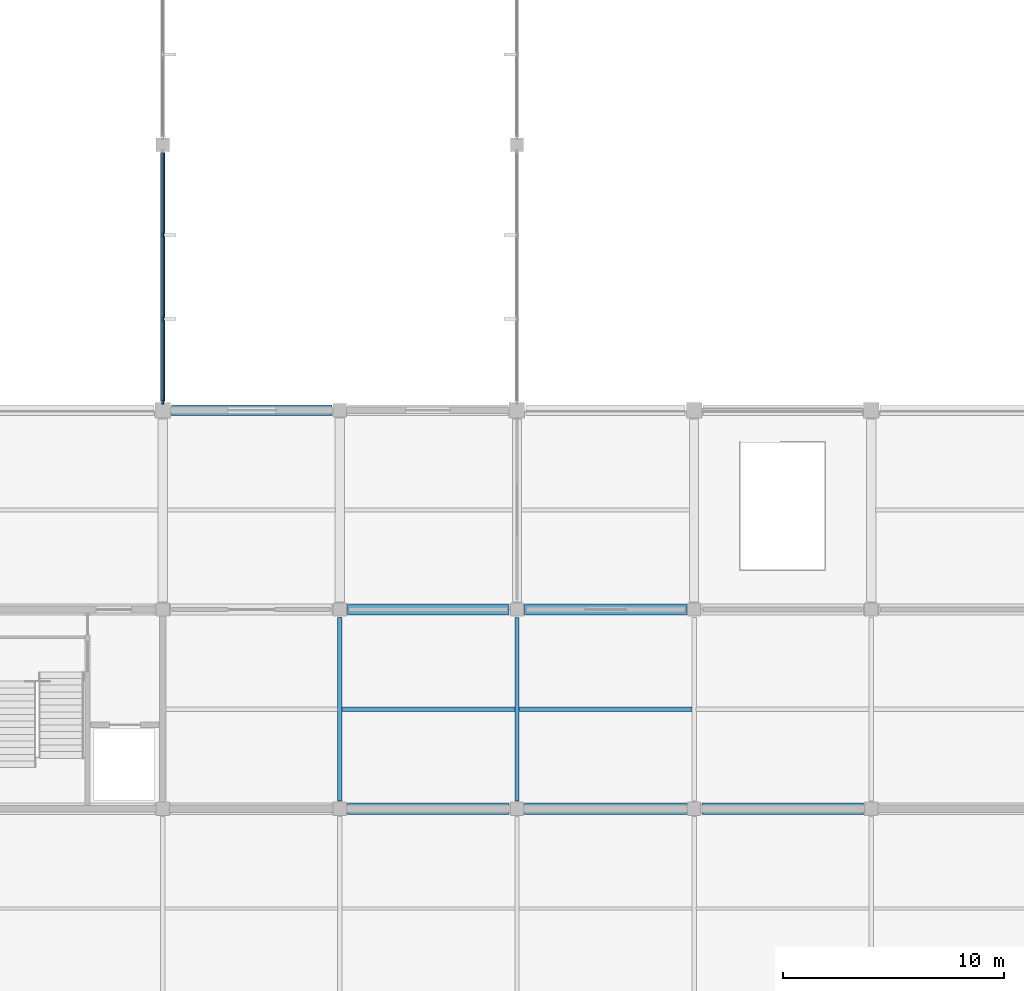
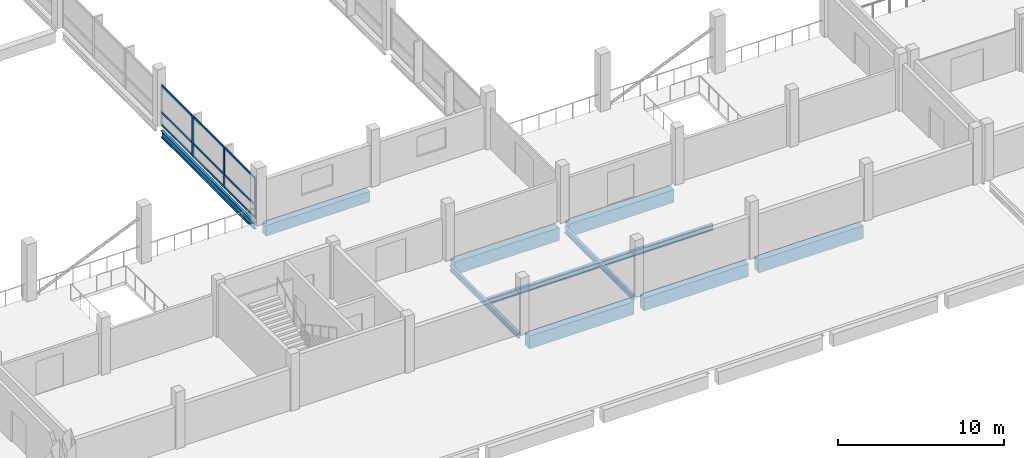
# One storey, part 9 of 57: 12 members, 11 beams, 1 element without a shape of its own.
"""IFC4 building model written with IfcOpenShell, lengths in metres."""

from ifc_helpers import new_model, si_unit, direction, frame, origin, origin_2d, place, context, subcontext, project, spatial, rectangle, i_section, extrude, material, material_profile, profile_set, type_object, element, aggregate, save


model = new_model("IFC4")

# Units and contexts
model_context = context("Model", 3, precision=1e-05, world=origin(), true_north=direction((0.0, 1.0)))
body_context = subcontext(model_context, "Body", "Model", "MODEL_VIEW")
ifc_project = project(units=[si_unit("LENGTHUNIT", "METRE"), si_unit("AREAUNIT", "SQUARE_METRE"), si_unit("VOLUMEUNIT", "CUBIC_METRE"), si_unit("PLANEANGLEUNIT", "RADIAN"), si_unit("MASSUNIT", "GRAM", prefix="KILO"), si_unit("THERMODYNAMICTEMPERATUREUNIT", "KELVIN"), si_unit("POWERUNIT", "WATT")], contexts=[model_context])

# Site, building, storey
site_placement = place(None, origin())
site = spatial("IfcSite", under=ifc_project, at=site_placement, CompositionType="ELEMENT")
building_placement = place(site_placement, origin())
building = spatial("IfcBuilding", under=site, at=building_placement, Name="Kronsvod Quay Wholesale Market", CompositionType="ELEMENT")
storey_placement = place(building_placement, frame((0.0, 0.0, 4.800048828125)))
storey = spatial("IfcBuildingStorey", under=building, at=storey_placement, Name="L01", CompositionType="ELEMENT", Elevation=4.800048828125)

# Beams
ifc_material_1 = material(Name="Precast concrete C40/50", Category="concrete")
ifc_material_profile_1 = material_profile(ifc_material_1, rectangle(XDim=0.4599609375, YDim=0.780029296875, at=origin_2d()), Name="PB-03")
ifc_profile_set_1 = profile_set([ifc_material_profile_1], Name="Precast concrete C40/50")
beam_type_1 = type_object("IfcBeamType", Name="Beam_PCB460x780", PredefinedType="BEAM", material=ifc_profile_set_1)
beam_1_placement = place(storey_placement, frame((88.39990234375, 54.0, -0.68994140625), z_axis=(1.0, 0.0, 0.0), x_axis=(0.0, 1.0, 0.0)))
element("IfcBeam", 1, at=beam_1_placement, inside=storey, type_object=beam_type_1, Name="BMX-L01-880-540", PredefinedType="BEAM", context=body_context, shape_type="SweptSolid", body=[
    extrude(rectangle(XDim=0.4599609375, YDim=0.780029296875, at=origin_2d()), origin(), (0.0, 0.0, 1.0), 7.25),
])
ifc_material_2 = material(Name="Steel S355", Category="steel")
ifc_material_profile_2 = material_profile(ifc_material_2, i_section(OverallWidth=0.199951171875, OverallDepth=0.39990234375, WebThickness=0.008056640625, FlangeThickness=0.012939453125, FilletRadius=0.01611328125, at=origin_2d()), Name="40B2")
ifc_profile_set_2 = profile_set([ifc_material_profile_2], Name="Steel S355")
beam_type_2 = type_object("IfcBeamType", Name="Beam_Steel40B2", PredefinedType="BEAM", material=ifc_profile_set_2)
for number, where, z_axis, x_axis, name in (
    (2, (96.0, 36.35009765625, -0.5), (0.0, 1.0, 0.0), (-1.0, 0.0, 0.0), "BMY-L01-960-360"),
    (3, (104.0, 36.35009765625, -0.5), (0.0, 1.0, 0.0), (-1.0, 0.0, 0.0), "BMY-L01-1040-360"),
):
    element("IfcBeam", number, at=place(storey_placement, frame(where, z_axis=z_axis, x_axis=x_axis)), inside=storey, type_object=beam_type_2, Name=name, PredefinedType="BEAM", context=body_context, shape_type="SweptSolid", body=[
        extrude(i_section(OverallWidth=0.199951171875, OverallDepth=0.39990234375, WebThickness=0.008056640625, FlangeThickness=0.012939453125, FilletRadius=0.01611328125, at=origin_2d()), origin(), (0.0, 0.0, 1.0), 8.2998046875),
    ])
ifc_material_3 = material(Name="Steel S355", Category="steel")
ifc_material_profile_3 = material_profile(ifc_material_3, i_section(OverallWidth=0.199951171875, OverallDepth=0.449951171875, WebThickness=0.009033203125, FlangeThickness=0.013916015625, FilletRadius=0.01806640625, at=origin_2d()), Name="45B2")
ifc_profile_set_3 = profile_set([ifc_material_profile_3], Name="Steel S355")
beam_type_3 = type_object("IfcBeamType", Name="Beam_Steel45B2", PredefinedType="BEAM", material=ifc_profile_set_3)
for number, where, z_axis, x_axis, name in (
    (4, (96.094970703125, 40.5, -0.525146484375), (1.0, 0.0, 0.0), (0.0, 1.0, 0.0), "JSTX-L01-960-360"),
    (5, (104.094970703125, 40.5, -0.525146484375), (1.0, 0.0, 0.0), (0.0, 1.0, 0.0), "JSTX-L01-1040-360"),
):
    element("IfcBeam", number, at=place(storey_placement, frame(where, z_axis=z_axis, x_axis=x_axis)), inside=storey, type_object=beam_type_3, Name=name, PredefinedType="BEAM", context=body_context, shape_type="SweptSolid", body=[
        extrude(i_section(OverallWidth=0.199951171875, OverallDepth=0.449951171875, WebThickness=0.009033203125, FlangeThickness=0.013916015625, FilletRadius=0.01806640625, at=origin_2d()), origin(), (0.0, 0.0, 1.0), 7.81005859375),
    ])
ifc_material_4 = material(Name="Precast concrete C40/50", Category="concrete")
ifc_material_profile_4 = material_profile(ifc_material_4, rectangle(XDim=0.5, YDim=0.949951171875, at=origin_2d()), Name="PCB500x950")
ifc_profile_set_4 = profile_set([ifc_material_profile_4], Name="Precast concrete C40/50")
beam_type_4 = type_object("IfcBeamType", Name="Girder_PCB500x950", PredefinedType="T_BEAM", material=ifc_profile_set_4)
for number, where, z_axis, x_axis, name in (
    (6, (96.35009765625, 36.0, -0.775146484375), (1.0, 0.0, 0.0), (0.0, 1.0, 0.0), "BMX-L01-960-360"),
    (7, (104.35009765625, 36.0, -0.775146484375), (1.0, 0.0, 0.0), (0.0, 1.0, 0.0), "BMX-L01-1040-360"),
    (8, (112.35009765625, 36.0, -0.775146484375), (1.0, 0.0, 0.0), (0.0, 1.0, 0.0), "BMX-L01-1120-360"),
    (9, (96.35009765625, 45.0, -0.775146484375), (1.0, 0.0, 0.0), (0.0, 1.0, 0.0), "BMX-L01-960-450"),
    (10, (104.35009765625, 45.0, -0.775146484375), (1.0, 0.0, 0.0), (0.0, 1.0, 0.0), "BMX-L01-1040-450"),
):
    element("IfcBeam", number, at=place(storey_placement, frame(where, z_axis=z_axis, x_axis=x_axis)), inside=storey, type_object=beam_type_4, Name=name, PredefinedType="T_BEAM", context=body_context, shape_type="SweptSolid", body=[
        extrude(rectangle(XDim=0.5, YDim=0.949951171875, at=origin_2d()), origin(), (0.0, 0.0, 1.0), 7.2998046875),
    ])
ifc_material_5 = material(Name="Steel S355", Category="steel")
ifc_material_profile_5 = material_profile(ifc_material_5, i_section(OverallWidth=0.198974609375, OverallDepth=0.49609375, WebThickness=0.009033203125, FlangeThickness=0.013916015625, FilletRadius=0.02001953125, at=origin_2d()), Name="50B1")
ifc_profile_set_5 = profile_set([ifc_material_profile_5], Name="Steel S355")
beam_type_5 = type_object("IfcBeamType", Name="Girder_Steel50B1", PredefinedType="T_BEAM", material=ifc_profile_set_5)
beam_2_placement = place(storey_placement, frame((88.0, 54.39990234375, -0.548095703125), z_axis=(0.0, 1.0, 0.0), x_axis=(-1.0, 0.0, 0.0)))
element("IfcBeam", 11, at=beam_2_placement, inside=storey, type_object=beam_type_5, Name="BMY-L01-880-540", PredefinedType="T_BEAM", context=body_context, shape_type="SweptSolid", body=[
    extrude(i_section(OverallWidth=0.198974609375, OverallDepth=0.49609375, WebThickness=0.009033203125, FlangeThickness=0.013916015625, FilletRadius=0.02001953125, at=origin_2d()), origin(), (0.0, 0.0, 1.0), 11.25),
])

# Curtain wall, members
ifc_material_6 = material(Name="Thermally broken aluminium and triple low-E glazing", Category="aluminium")
curtain_wall_type = type_object("IfcCurtainWallType", Name="CW_Court120x35", PredefinedType="NOTDEFINED", material=ifc_material_6)
curtain_wall_placement = place(storey_placement, origin())
curtain_wall = element("IfcCurtainWall", 12, at=curtain_wall_placement, inside=storey, type_object=curtain_wall_type, Name="CWGY-L01-880-540", PredefinedType="NOTDEFINED")
ifc_material_7 = material(Name="Anodised aluminium", Category="aluminium")
ifc_material_profile_6 = material_profile(ifc_material_7, rectangle(XDim=0.074951171875, YDim=0.199951171875, at=origin_2d()), Name="ALUM75x200")
ifc_profile_set_6 = profile_set([ifc_material_profile_6], Name="Anodised aluminium")
member_type_1 = type_object("IfcMemberType", Name="Mullion_ALU75x200", PredefinedType="MULLION", material=ifc_profile_set_6)
member_1_placement = place(storey_placement, frame((88.0, 54.382568359375, 0.0), z_axis=(0.0, 0.0, 1.0), x_axis=(1.0, 0.0, 0.0)))
member_1 = element("IfcMember", 13, at=member_1_placement, type_object=member_type_1, Name="CWGY-L01-880-540-M1", PredefinedType="MULLION", context=body_context, shape_type="SweptSolid", body=[
    extrude(rectangle(XDim=0.074951171875, YDim=0.199951171875, at=origin_2d()), origin(), (0.0, 0.0, 1.0), 3.050048828125),
])
member_2_placement = place(storey_placement, frame((88.0, 58.131591796875, 0.0), z_axis=(0.0, 0.0, 1.0), x_axis=(1.0, 0.0, 0.0)))
member_2 = element("IfcMember", 14, at=member_2_placement, type_object=member_type_1, Name="CWGY-L01-880-540-M2", PredefinedType="MULLION", context=body_context, shape_type="SweptSolid", body=[
    extrude(rectangle(XDim=0.074951171875, YDim=0.199951171875, at=origin_2d()), origin(), (0.0, 0.0, 1.0), 3.050048828125),
])
member_3_placement = place(storey_placement, frame((88.0, 61.918212890625, 0.0), z_axis=(0.0, 0.0, 1.0), x_axis=(1.0, 0.0, 0.0)))
member_3 = element("IfcMember", 15, at=member_3_placement, type_object=member_type_1, Name="CWGY-L01-880-540-M3", PredefinedType="MULLION", context=body_context, shape_type="SweptSolid", body=[
    extrude(rectangle(XDim=0.074951171875, YDim=0.199951171875, at=origin_2d()), origin(), (0.0, 0.0, 1.0), 3.050048828125),
])
ifc_material_8 = material(Name="Anodised aluminium", Category="aluminium")
ifc_material_profile_7 = material_profile(ifc_material_8, rectangle(XDim=0.074951171875, YDim=0.14990234375, at=origin_2d()), Name="ALUT75x150")
ifc_profile_set_7 = profile_set([ifc_material_profile_7], Name="Anodised aluminium")
member_type_2 = type_object("IfcMemberType", Name="Transom_ALU75x150", PredefinedType="USERDEFINED", material=ifc_profile_set_7)
member_4_placement = place(storey_placement, frame((88.0, 54.419921875, 0.074951171875), z_axis=(0.0, 1.0, 0.0), x_axis=(-1.0, 0.0, 0.0)))
member_4 = element("IfcMember", 16, at=member_4_placement, type_object=member_type_2, Name="CWGY-L01-880-540-T1B1", ObjectType="TRANSOM", PredefinedType="USERDEFINED", context=body_context, shape_type="SweptSolid", body=[
    extrude(rectangle(XDim=0.074951171875, YDim=0.14990234375, at=origin_2d()), origin(), (0.0, 0.0, 1.0), 3.67431640625),
])
member_5_placement = place(storey_placement, frame((88.0, 58.169189453125, 0.074951171875), z_axis=(0.0, 1.0, 0.0), x_axis=(-1.0, 0.0, 0.0)))
member_5 = element("IfcMember", 17, at=member_5_placement, type_object=member_type_2, Name="CWGY-L01-880-540-T1B2", ObjectType="TRANSOM", PredefinedType="USERDEFINED", context=body_context, shape_type="SweptSolid", body=[
    extrude(rectangle(XDim=0.074951171875, YDim=0.14990234375, at=origin_2d()), origin(), (0.0, 0.0, 1.0), 3.711669921875),
])
member_6_placement = place(storey_placement, frame((88.0, 61.955810546875, 0.074951171875), z_axis=(0.0, 1.0, 0.0), x_axis=(-1.0, 0.0, 0.0)))
member_6 = element("IfcMember", 18, at=member_6_placement, type_object=member_type_2, Name="CWGY-L01-880-540-T1B3", ObjectType="TRANSOM", PredefinedType="USERDEFINED", context=body_context, shape_type="SweptSolid", body=[
    extrude(rectangle(XDim=0.074951171875, YDim=0.14990234375, at=origin_2d()), origin(), (0.0, 0.0, 1.0), 3.674072265625),
])
member_7_placement = place(storey_placement, frame((88.0, 54.419921875, 1.0), z_axis=(0.0, 1.0, 0.0), x_axis=(-1.0, 0.0, 0.0)))
member_7 = element("IfcMember", 19, at=member_7_placement, type_object=member_type_2, Name="CWGY-L01-880-540-T2B1", ObjectType="TRANSOM", PredefinedType="USERDEFINED", context=body_context, shape_type="SweptSolid", body=[
    extrude(rectangle(XDim=0.074951171875, YDim=0.14990234375, at=origin_2d()), origin(), (0.0, 0.0, 1.0), 3.67431640625),
])
member_8_placement = place(storey_placement, frame((88.0, 58.169189453125, 1.0), z_axis=(0.0, 1.0, 0.0), x_axis=(-1.0, 0.0, 0.0)))
member_8 = element("IfcMember", 20, at=member_8_placement, type_object=member_type_2, Name="CWGY-L01-880-540-T2B2", ObjectType="TRANSOM", PredefinedType="USERDEFINED", context=body_context, shape_type="SweptSolid", body=[
    extrude(rectangle(XDim=0.074951171875, YDim=0.14990234375, at=origin_2d()), origin(), (0.0, 0.0, 1.0), 3.711669921875),
])
member_9_placement = place(storey_placement, frame((88.0, 61.955810546875, 1.0), z_axis=(0.0, 1.0, 0.0), x_axis=(-1.0, 0.0, 0.0)))
member_9 = element("IfcMember", 21, at=member_9_placement, type_object=member_type_2, Name="CWGY-L01-880-540-T2B3", ObjectType="TRANSOM", PredefinedType="USERDEFINED", context=body_context, shape_type="SweptSolid", body=[
    extrude(rectangle(XDim=0.074951171875, YDim=0.14990234375, at=origin_2d()), origin(), (0.0, 0.0, 1.0), 3.674072265625),
])
member_10_placement = place(storey_placement, frame((88.0, 54.419921875, 2.974853515625), z_axis=(0.0, 1.0, 0.0), x_axis=(-1.0, 0.0, 0.0)))
member_10 = element("IfcMember", 22, at=member_10_placement, type_object=member_type_2, Name="CWGY-L01-880-540-T3B1", ObjectType="TRANSOM", PredefinedType="USERDEFINED", context=body_context, shape_type="SweptSolid", body=[
    extrude(rectangle(XDim=0.074951171875, YDim=0.14990234375, at=origin_2d()), origin(), (0.0, 0.0, 1.0), 3.67431640625),
])
member_11_placement = place(storey_placement, frame((88.0, 58.169189453125, 2.974853515625), z_axis=(0.0, 1.0, 0.0), x_axis=(-1.0, 0.0, 0.0)))
member_11 = element("IfcMember", 23, at=member_11_placement, type_object=member_type_2, Name="CWGY-L01-880-540-T3B2", ObjectType="TRANSOM", PredefinedType="USERDEFINED", context=body_context, shape_type="SweptSolid", body=[
    extrude(rectangle(XDim=0.074951171875, YDim=0.14990234375, at=origin_2d()), origin(), (0.0, 0.0, 1.0), 3.711669921875),
])
member_12_placement = place(storey_placement, frame((88.0, 61.955810546875, 2.974853515625), z_axis=(0.0, 1.0, 0.0), x_axis=(-1.0, 0.0, 0.0)))
member_12 = element("IfcMember", 24, at=member_12_placement, type_object=member_type_2, Name="CWGY-L01-880-540-T3B3", ObjectType="TRANSOM", PredefinedType="USERDEFINED", context=body_context, shape_type="SweptSolid", body=[
    extrude(rectangle(XDim=0.074951171875, YDim=0.14990234375, at=origin_2d()), origin(), (0.0, 0.0, 1.0), 3.674072265625),
])
aggregate(curtain_wall, [member_1, member_2, member_3, member_4, member_5, member_6, member_7, member_8, member_9, member_10, member_11, member_12])

save(model, "model.ifc")
